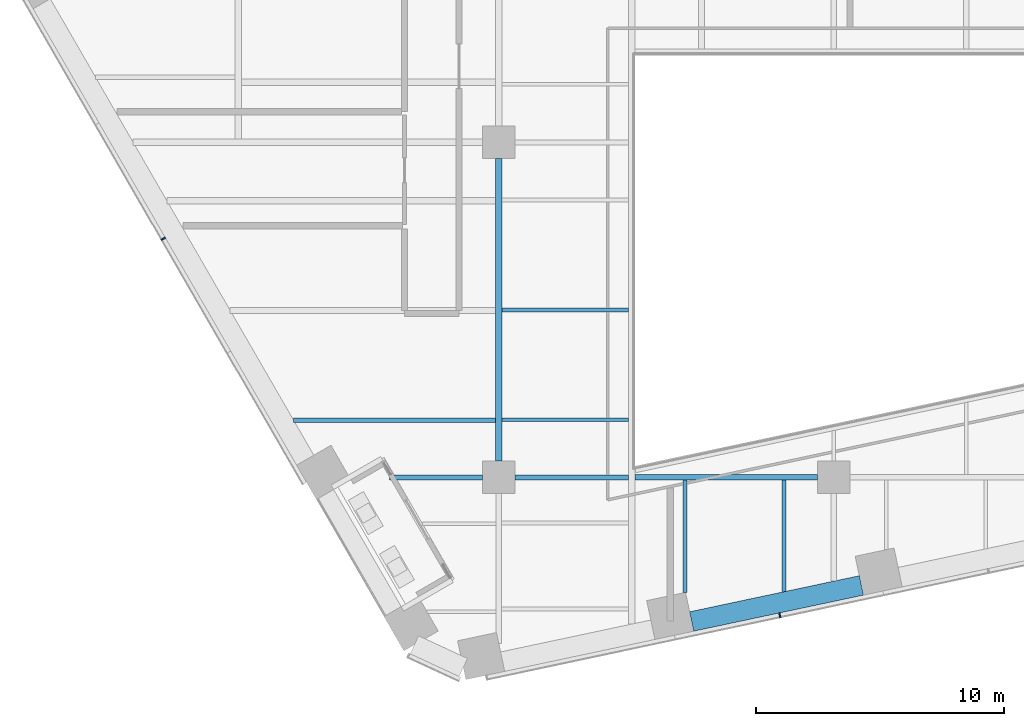
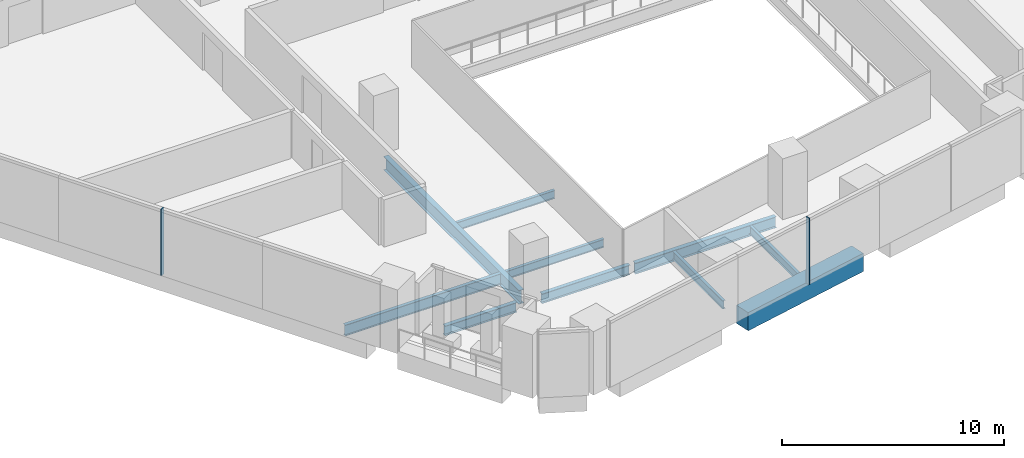
# One storey, part 3 of 31: 10 beams, 2 members, 2 elements without a shape of their own.
"""IFC4 building model written with IfcOpenShell, lengths in metres."""

from ifc_helpers import new_model, si_unit, direction, frame, origin, origin_2d, place, context, subcontext, project, spatial, rectangle, i_section, extrude, material, layer, layer_set, material_profile, profile_set, type_object, element, aggregate, save


model = new_model("IFC4")

# Units and contexts
model_context = context("Model", 3, precision=1e-05, world=origin(), true_north=direction((0.0, 1.0)))
body_context = subcontext(model_context, "Body", "Model", "MODEL_VIEW")
ifc_project = project(units=[si_unit("LENGTHUNIT", "METRE"), si_unit("AREAUNIT", "SQUARE_METRE"), si_unit("VOLUMEUNIT", "CUBIC_METRE"), si_unit("PLANEANGLEUNIT", "RADIAN"), si_unit("MASSUNIT", "GRAM", prefix="KILO")], contexts=[model_context])

# Site, building, storey
site_placement = place(None, origin())
site = spatial("IfcSite", under=ifc_project, at=site_placement, CompositionType="ELEMENT")
building_placement = place(site_placement, origin())
building = spatial("IfcBuilding", under=site, at=building_placement, Name="Isthmus Gate Tower", CompositionType="ELEMENT")
storey_placement = place(building_placement, frame((0.0, 0.0, 113.5)))
storey = spatial("IfcBuildingStorey", under=building, at=storey_placement, Name="L27", CompositionType="ELEMENT", Elevation=113.5)

# Curtain wall, member
ifc_material_1 = material(Name="Aluminium, pale champagne anodised", Category="aluminium")
ifc_layer = layer(ifc_material_1, 0.199951171875)
ifc_layer_set = layer_set([ifc_layer], Name="CW-1 UNITISED CURTAIN WALL 200 DEEP")
curtain_wall_type = type_object("IfcCurtainWallType", Name="CW-1 UNITISED CURTAIN WALL 200 DEEP", PredefinedType="NOTDEFINED", material=ifc_layer_set)
curtain_wall_1_placement = place(storey_placement, origin())
curtain_wall_1 = element("IfcCurtainWall", 1, at=curtain_wall_1_placement, inside=storey, type_object=curtain_wall_type, Name="CW-1 SW L27", PredefinedType="NOTDEFINED")
ifc_material_2 = material(Name="Aluminium, pale champagne anodised", Category="aluminium")
ifc_material_profile_1 = material_profile(ifc_material_2, rectangle(XDim=0.06005859375, YDim=0.199951171875, at=origin_2d()), Name="60x200")
ifc_profile_set_1 = profile_set([ifc_material_profile_1], Name="Aluminium, pale champagne anodised")
member_type = type_object("IfcMemberType", Name="CW-1 MULLION 60 X 200", PredefinedType="MULLION", material=ifc_profile_set_1)
member_1_placement = place(storey_placement, frame((-27.026611328125, -17.388427734375, 0.0), z_axis=(0.0, 0.0, 1.0), x_axis=(0.5, -0.866025403784, 0.0)))
member_1 = element("IfcMember", 2, at=member_1_placement, type_object=member_type, Name="CW-1 mullion", PredefinedType="MULLION", context=body_context, shape_type="SweptSolid", body=[
    extrude(rectangle(XDim=0.06005859375, YDim=0.199951171875, at=origin_2d()), origin(), (0.0, 0.0, 1.0), 3.64990234375),
])
aggregate(curtain_wall_1, [member_1])

curtain_wall_2_placement = place(storey_placement, origin())
curtain_wall_2 = element("IfcCurtainWall", 3, at=curtain_wall_2_placement, inside=storey, type_object=curtain_wall_type, Name="CW-1 S L27", PredefinedType="NOTDEFINED")
member_2_placement = place(storey_placement, frame((-2.1728515625, -32.564208984375, 0.0), z_axis=(0.0, 0.0, 1.0), x_axis=(0.978147600734, 0.207911690818, 0.0)))
member_2 = element("IfcMember", 4, at=member_2_placement, type_object=member_type, Name="CW-1 mullion", PredefinedType="MULLION", context=body_context, shape_type="SweptSolid", body=[
    extrude(rectangle(XDim=0.06005859375, YDim=0.199951171875, at=origin_2d()), origin(), (0.0, 0.0, 1.0), 3.64990234375),
])
aggregate(curtain_wall_2, [member_2])

# Beams
ifc_material_3 = material(Name="Concrete f'c 70 MPa", Category="concrete")
ifc_material_profile_2 = material_profile(ifc_material_3, rectangle(XDim=0.800048828125, YDim=1.0, at=origin_2d()), Name="RC 800X1000")
ifc_profile_set_2 = profile_set([ifc_material_profile_2], Name="Concrete f'c 70 MPa")
beam_type_1 = type_object("IfcBeamType", Name="RC SPANDREL 800 X 1000", PredefinedType="SPANDREL", material=ifc_profile_set_2)
beam_1_placement = place(storey_placement, frame((1.112060546875, -31.354736328125, -0.5), z_axis=(-0.978149173437, -0.207904291694, 0.0), x_axis=(0.207904291694, -0.978149173437, 0.0)))
element("IfcBeam", 5, at=beam_1_placement, inside=storey, type_object=beam_type_1, Name="str-spandrel-L27-12", PredefinedType="SPANDREL", context=body_context, shape_type="SweptSolid", body=[
    extrude(rectangle(XDim=0.800048828125, YDim=1.0, at=origin_2d()), origin(), (0.0, 0.0, 1.0), 6.989501953125),
])
ifc_material_4 = material(Name="Structural steel ASTM A992 Gr 50", Category="steel")
ifc_material_profile_3 = material_profile(ifc_material_4, i_section(OverallWidth=0.15234375, OverallDepth=0.45068359375, WebThickness=0.0078125, FlangeThickness=0.010986328125, at=origin_2d()), Name="W18X35")
ifc_profile_set_3 = profile_set([ifc_material_profile_3], Name="Structural steel ASTM A992 Gr 50")
beam_type_2 = type_object("IfcBeamType", Name="STEEL FLOOR BEAM W18X35", PredefinedType="JOIST", material=ifc_profile_set_3)
for number, where, z_axis, x_axis, name in (
    (6, (-13.3681640625, -24.68017578125, -0.37548828125), (1.0, 0.0, 0.0), (0.0, 1.0, 0.0), "str-beam-L27-15-00"),
    (7, (-13.3681640625, -20.25, -0.37548828125), (1.0, 0.0, 0.0), (0.0, 1.0, 0.0), "str-beam-L27-15-01"),
):
    element("IfcBeam", number, at=place(storey_placement, frame(where, z_axis=z_axis, x_axis=x_axis)), inside=storey, type_object=beam_type_2, Name=name, PredefinedType="JOIST", context=body_context, shape_type="SweptSolid", body=[
        extrude(i_section(OverallWidth=0.15234375, OverallDepth=0.45068359375, WebThickness=0.0078125, FlangeThickness=0.010986328125, at=origin_2d()), origin(), (0.0, 0.0, 1.0), 5.1015625),
    ])
beam_2_placement = place(storey_placement, frame((-6.0, -31.6396484375, -0.37548828125), z_axis=(0.0, 1.0, 0.0), x_axis=(-1.0, 0.0, 0.0)))
element("IfcBeam", 8, at=beam_2_placement, inside=storey, type_object=beam_type_2, Name="str-beam-L27-19-00", PredefinedType="JOIST", context=body_context, shape_type="SweptSolid", body=[
    extrude(i_section(OverallWidth=0.15234375, OverallDepth=0.45068359375, WebThickness=0.0078125, FlangeThickness=0.010986328125, at=origin_2d()), origin(), (0.0, 0.0, 1.0), 4.525390625),
])
beam_3_placement = place(storey_placement, frame((-2.0, -31.607177734375, -0.37548828125), z_axis=(0.0, 1.0, 0.0), x_axis=(-1.0, 0.0, 0.0)))
element("IfcBeam", 9, at=beam_3_placement, inside=storey, type_object=beam_type_2, Name="str-beam-L27-19-01", PredefinedType="JOIST", context=body_context, shape_type="SweptSolid", body=[
    extrude(i_section(OverallWidth=0.15234375, OverallDepth=0.45068359375, WebThickness=0.0078125, FlangeThickness=0.010986328125, at=origin_2d()), origin(), (0.0, 0.0, 1.0), 4.492919921875),
])
ifc_material_5 = material(Name="Structural steel ASTM A992 Gr 50", Category="steel")
ifc_material_profile_4 = material_profile(ifc_material_5, i_section(OverallWidth=0.177734375, OverallDepth=0.60009765625, WebThickness=0.009521484375, FlangeThickness=0.0126953125, at=origin_2d()), Name="W24X55")
ifc_profile_set_4 = profile_set([ifc_material_profile_4], Name="Structural steel ASTM A992 Gr 50")
beam_type_3 = type_object("IfcBeamType", Name="STEEL FLOOR BEAM W24X55", PredefinedType="JOIST", material=ifc_profile_set_4)
beam_4_placement = place(storey_placement, frame((-21.76708984375, -24.698486328125, -0.449951171875), z_axis=(1.0, 0.0, 0.0), x_axis=(0.0, 1.0, 0.0)))
element("IfcBeam", 10, at=beam_4_placement, inside=storey, type_object=beam_type_3, Name="str-beam-L27-07-00", PredefinedType="JOIST", context=body_context, shape_type="SweptSolid", body=[
    extrude(i_section(OverallWidth=0.177734375, OverallDepth=0.60009765625, WebThickness=0.009521484375, FlangeThickness=0.0126953125, at=origin_2d()), origin(), (0.0, 0.0, 1.0), 8.13525390625),
])
ifc_material_6 = material(Name="Structural steel ASTM A992 Gr 50", Category="steel")
ifc_material_profile_5 = material_profile(ifc_material_6, i_section(OverallWidth=0.20947265625, OverallDepth=0.533447265625, WebThickness=0.009521484375, FlangeThickness=0.015869140625, at=origin_2d()), Name="W21X62")
ifc_profile_set_5 = profile_set([ifc_material_profile_5], Name="Structural steel ASTM A992 Gr 50")
beam_type_4 = type_object("IfcBeamType", Name="STEEL GIRDER W21X62", PredefinedType="BEAM", material=ifc_profile_set_5)
beam_5_placement = place(storey_placement, frame((-17.89794921875, -27.0, -0.416748046875), z_axis=(1.0, 0.0, 0.0), x_axis=(0.0, 1.0, 0.0)))
element("IfcBeam", 11, at=beam_5_placement, inside=storey, type_object=beam_type_4, Name="str-girder-L27-01", PredefinedType="BEAM", context=body_context, shape_type="SweptSolid", body=[
    extrude(i_section(OverallWidth=0.20947265625, OverallDepth=0.533447265625, WebThickness=0.009521484375, FlangeThickness=0.015869140625, at=origin_2d()), origin(), (0.0, 0.0, 1.0), 3.748046875),
])
beam_6_placement = place(storey_placement, frame((-12.85009765625, -27.0, -0.416748046875), z_axis=(1.0, 0.0, 0.0), x_axis=(0.0, 1.0, 0.0)))
element("IfcBeam", 12, at=beam_6_placement, inside=storey, type_object=beam_type_4, Name="str-girder-L27-02", PredefinedType="BEAM", context=body_context, shape_type="SweptSolid", body=[
    extrude(i_section(OverallWidth=0.20947265625, OverallDepth=0.533447265625, WebThickness=0.009521484375, FlangeThickness=0.015869140625, at=origin_2d()), origin(), (0.0, 0.0, 1.0), 4.58349609375),
])
ifc_material_7 = material(Name="Structural steel ASTM A992 Gr 50", Category="steel")
ifc_material_profile_6 = material_profile(ifc_material_7, i_section(OverallWidth=0.228515625, OverallDepth=0.603271484375, WebThickness=0.010986328125, FlangeThickness=0.014404296875, at=origin_2d()), Name="W24X68")
ifc_profile_set_6 = profile_set([ifc_material_profile_6], Name="Structural steel ASTM A992 Gr 50")
beam_type_5 = type_object("IfcBeamType", Name="STEEL GIRDER W24X68", PredefinedType="BEAM", material=ifc_profile_set_6)
beam_7_placement = place(storey_placement, frame((-8.0, -27.0, -0.45166015625), z_axis=(1.0, 0.0, 0.0), x_axis=(0.0, 1.0, 0.0)))
element("IfcBeam", 13, at=beam_7_placement, inside=storey, type_object=beam_type_5, Name="str-girder-L27-03", PredefinedType="BEAM", context=body_context, shape_type="SweptSolid", body=[
    extrude(i_section(OverallWidth=0.228515625, OverallDepth=0.603271484375, WebThickness=0.010986328125, FlangeThickness=0.014404296875, at=origin_2d()), origin(), (0.0, 0.0, 1.0), 7.35009765625),
])
ifc_material_8 = material(Name="Structural steel ASTM A992 Gr 50", Category="steel")
ifc_material_profile_7 = material_profile(ifc_material_8, i_section(OverallWidth=0.263427734375, OverallDepth=0.749267578125, WebThickness=0.0126953125, FlangeThickness=0.015869140625, at=origin_2d()), Name="W30X90")
ifc_profile_set_7 = profile_set([ifc_material_profile_7], Name="Structural steel ASTM A992 Gr 50")
beam_type_6 = type_object("IfcBeamType", Name="STEEL GIRDER W30X90", PredefinedType="BEAM", material=ifc_profile_set_7)
beam_8_placement = place(storey_placement, frame((-13.5, -26.35009765625, -0.524658203125), z_axis=(0.0, 1.0, 0.0), x_axis=(-1.0, 0.0, 0.0)))
element("IfcBeam", 14, at=beam_8_placement, inside=storey, type_object=beam_type_6, Name="str-girder-L27-25", PredefinedType="BEAM", context=body_context, shape_type="SweptSolid", body=[
    extrude(i_section(OverallWidth=0.263427734375, OverallDepth=0.749267578125, WebThickness=0.0126953125, FlangeThickness=0.015869140625, at=origin_2d()), origin(), (0.0, 0.0, 1.0), 12.2001953125),
])

save(model, "model.ifc")
